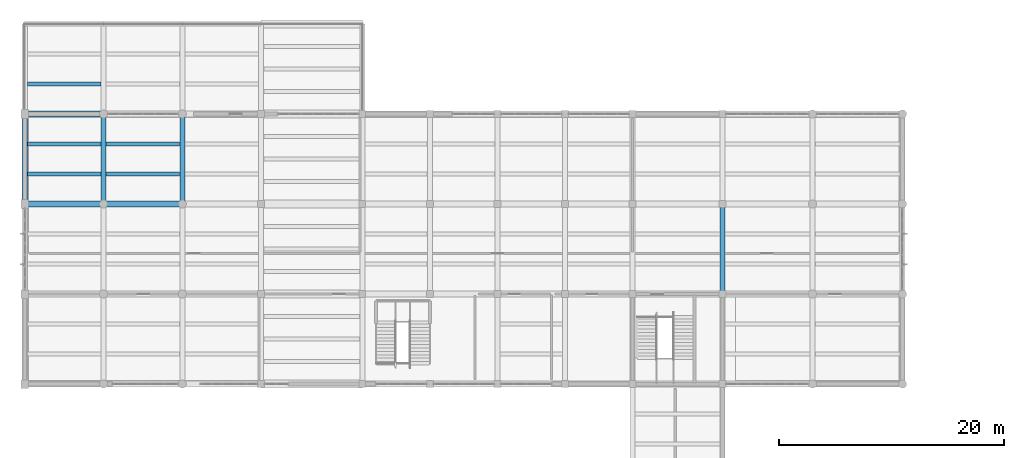
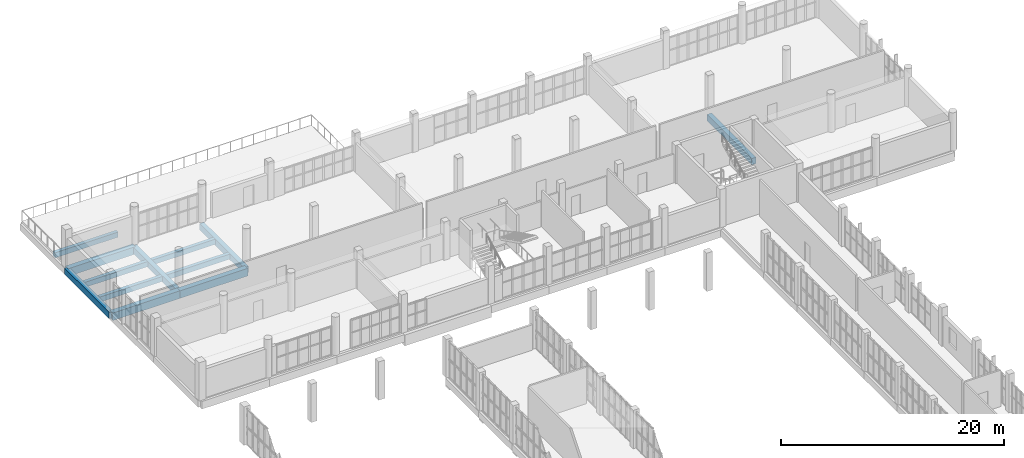
# One storey, part 23 of 85: 12 beams.
"""IFC4 building model written with IfcOpenShell, lengths in metres."""

from ifc_helpers import new_model, si_unit, direction, frame, origin, origin_2d, place, context, subcontext, project, spatial, rectangle, extrude, material, material_profile, profile_set, type_object, element, save


model = new_model("IFC4")

# Units and contexts
model_context = context("Model", 3, precision=1e-05, world=origin(), true_north=direction((0.0, 1.0)))
body_context = subcontext(model_context, "Body", "Model", "MODEL_VIEW")
ifc_project = project(units=[si_unit("LENGTHUNIT", "METRE"), si_unit("AREAUNIT", "SQUARE_METRE"), si_unit("VOLUMEUNIT", "CUBIC_METRE"), si_unit("PLANEANGLEUNIT", "RADIAN"), si_unit("MASSUNIT", "GRAM", prefix="KILO")], contexts=[model_context])

# Site, building, storey
site_placement = place(None, origin())
site = spatial("IfcSite", under=ifc_project, at=site_placement, CompositionType="ELEMENT")
building_placement = place(site_placement, origin())
building = spatial("IfcBuilding", under=site, at=building_placement, Name="Solvane Community Centre", CompositionType="ELEMENT")
storey_placement = place(building_placement, frame((0.0, 0.0, 5.39990234375)))
storey = spatial("IfcBuildingStorey", under=building, at=storey_placement, Name="L01", CompositionType="ELEMENT", Elevation=5.39990234375)

# Beams
ifc_material = material(Name="Concrete C35/45", Category="concrete")
ifc_material_profile_1 = material_profile(ifc_material, rectangle(XDim=0.449951171875, YDim=0.699951171875, at=origin_2d()), Name="RC 450x700")
ifc_profile_set_1 = profile_set([ifc_material_profile_1], Name="Concrete C35/45")
beam_type_1 = type_object("IfcBeamType", Name="RC Floor Beam 450x700", PredefinedType="BEAM", material=ifc_profile_set_1)
for number, where, z_axis, x_axis, name in (
    (1, (6.0, 102.0, -0.58984375), (0.0, 1.0, 0.0), (-1.0, 0.0, 0.0), "Beam BM-L01-60_1020-60_1100"),
    (2, (13.0, 102.0, -0.58984375), (0.0, 1.0, 0.0), (-1.0, 0.0, 0.0), "Beam BM-L01-130_1020-130_1100"),
    (3, (20.0, 102.0, -0.58984375), (0.0, 1.0, 0.0), (-1.0, 0.0, 0.0), "Beam BM-L01-200_1020-200_1100"),
    (4, (68.0, 94.0, -0.58984375), (0.0, 1.0, 0.0), (-1.0, 0.0, 0.0), "Beam BM-L01-680_940-680_1020"),
):
    element("IfcBeam", number, at=place(storey_placement, frame(where, z_axis=z_axis, x_axis=x_axis)), inside=storey, type_object=beam_type_1, Name=name, PredefinedType="BEAM", context=body_context, shape_type="SweptSolid", body=[
        extrude(rectangle(XDim=0.449951171875, YDim=0.699951171875, at=origin_2d()), origin(), (0.0, 0.0, 1.0), 8.0),
    ])
ifc_material_profile_2 = material_profile(ifc_material, rectangle(XDim=0.52001953125, YDim=0.830078125, at=origin_2d()), Name="RC 520x830")
ifc_profile_set_2 = profile_set([ifc_material_profile_2], Name="Concrete C35/45")
beam_type_2 = type_object("IfcBeamType", Name="RC Medium Girder 520x830", PredefinedType="USERDEFINED", material=ifc_profile_set_2)
for number, where, z_axis, x_axis, name in (
    (5, (6.0, 102.0, -0.65478515625), (1.0, 0.0, 0.0), (0.0, 1.0, 0.0), "Beam BM-L01-60_1020-130_1020"),
    (6, (13.0, 102.0, -0.65478515625), (1.0, 0.0, 0.0), (0.0, 1.0, 0.0), "Beam BM-L01-130_1020-200_1020"),
    (7, (6.0, 110.0, -0.65478515625), (1.0, 0.0, 0.0), (0.0, 1.0, 0.0), "Beam BM-L01-60_1100-130_1100"),
):
    element("IfcBeam", number, at=place(storey_placement, frame(where, z_axis=z_axis, x_axis=x_axis)), inside=storey, type_object=beam_type_2, Name=name, ObjectType="GIRDER", PredefinedType="USERDEFINED", context=body_context, shape_type="SweptSolid", body=[
        extrude(rectangle(XDim=0.52001953125, YDim=0.830078125, at=origin_2d()), origin(), (0.0, 0.0, 1.0), 7.0),
    ])
ifc_material_profile_3 = material_profile(ifc_material, rectangle(XDim=0.360107421875, YDim=0.56005859375, at=origin_2d()), Name="RC 360x560")
ifc_profile_set_3 = profile_set([ifc_material_profile_3], Name="Concrete C35/45")
beam_type_3 = type_object("IfcBeamType", Name="RC Terrace Joist 360x560", PredefinedType="JOIST", material=ifc_profile_set_3)
for number, where, z_axis, x_axis, name in (
    (8, (6.239990234375, 104.666748046875, -0.52001953125), (1.0, 0.0, 0.0), (0.0, 1.0, 0.0), "Beam BM-L01-62_1047-128_1047"),
    (9, (6.239990234375, 107.333251953125, -0.52001953125), (1.0, 0.0, 0.0), (0.0, 1.0, 0.0), "Beam BM-L01-62_1073-128_1073"),
    (10, (6.239990234375, 112.666748046875, -0.52001953125), (1.0, 0.0, 0.0), (0.0, 1.0, 0.0), "Beam BM-L01-62_1127-128_1127"),
    (11, (13.239990234375, 104.666748046875, -0.52001953125), (1.0, 0.0, 0.0), (0.0, 1.0, 0.0), "Beam BM-L01-132_1047-198_1047"),
    (12, (13.239990234375, 107.333251953125, -0.52001953125), (1.0, 0.0, 0.0), (0.0, 1.0, 0.0), "Beam BM-L01-132_1073-198_1073"),
):
    element("IfcBeam", number, at=place(storey_placement, frame(where, z_axis=z_axis, x_axis=x_axis)), inside=storey, type_object=beam_type_3, Name=name, PredefinedType="JOIST", context=body_context, shape_type="SweptSolid", body=[
        extrude(rectangle(XDim=0.360107421875, YDim=0.56005859375, at=origin_2d()), origin(), (0.0, 0.0, 1.0), 6.52001953125),
    ])

save(model, "model.ifc")
